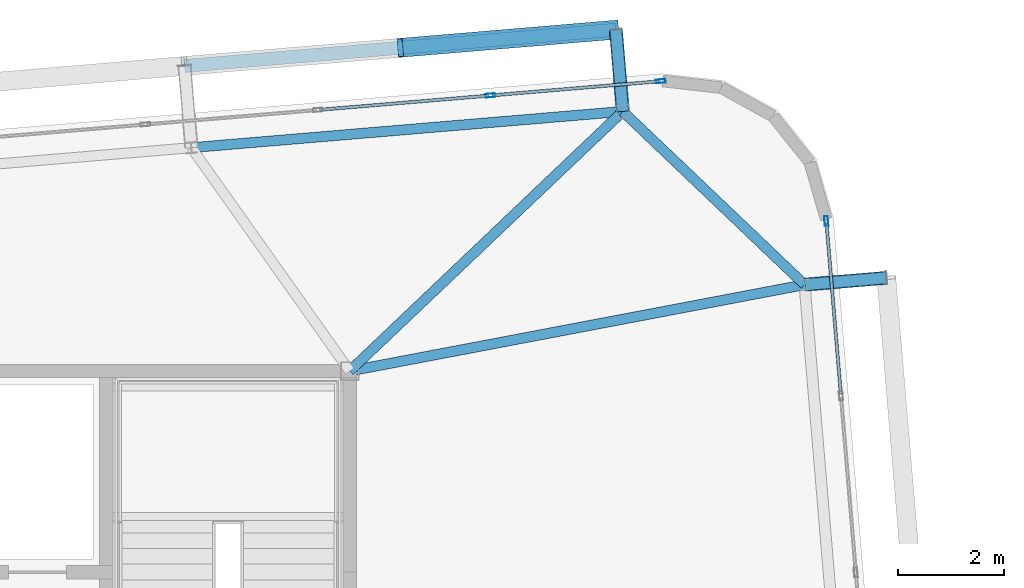
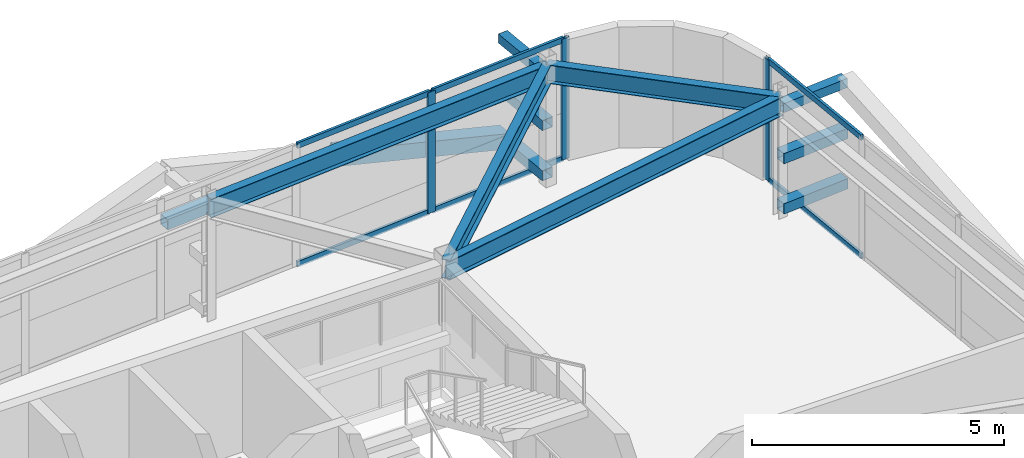
# One storey, part 31 of 46: 17 members, 4 beams, 2 elements without a shape of their own.
"""IFC4 building model written with IfcOpenShell, lengths in metres."""

import ifcopenshell
import ifcopenshell.guid

model = None  # the IFC model being written
_history = None  # IfcOwnerHistory: only IFC2X3 demands one
_inside = {}  # id of a spatial element -> (the spatial element, [elements in it])
_under = {}  # id of a project, library or spatial element -> (it, [spatial elements below it])
_declared = {}  # id of a project -> (the project, [libraries it declares])
_typed = {}  # id of a type object -> (the type object, [elements of that type])
_made_of = {}  # id of a material, layer set ... -> (it, [elements and type objects made of it])


def new_model(schema):
    """Start an empty IFC model of exactly this schema.

    Asked for "IFC4X3", IfcOpenShell would pick the latest addendum, in which some entities
    have other attributes; the version numbers below select the first issue.
    IFC2X3 requires an IfcOwnerHistory on every rooted entity: one is made here for all.
    """
    global model, _history
    if schema == "IFC4X3":
        model = ifcopenshell.file(schema_version=(4, 3, 0, 0))
    else:
        model = ifcopenshell.file(schema=schema)
    _inside.clear()
    _under.clear()
    _declared.clear()
    _typed.clear()
    _made_of.clear()
    _history = None
    if model.schema == "IFC2X3":
        org = make("IfcOrganization", Name="unknown")
        user = make(
            "IfcPersonAndOrganization",
            ThePerson=make("IfcPerson", FamilyName="unknown"),
            TheOrganization=org,
        )
        app = make(
            "IfcApplication",
            ApplicationDeveloper=org,
            Version="unknown",
            ApplicationFullName="unknown",
            ApplicationIdentifier="unknown",
        )
        _history = make(
            "IfcOwnerHistory",
            OwningUser=user,
            OwningApplication=app,
            ChangeAction="ADDED",
            CreationDate=0,
        )
    return model


def make(cls, **values):
    """One entity of the class cls with the attributes given. An attribute that is None is left unset."""
    return model.create_entity(
        cls, **{name: value for name, value in values.items() if value is not None}
    )


def rooted(cls, **values):
    """An entity with a GlobalId (a new one), such as an element, a storey or a relation."""
    return make(cls, GlobalId=ifcopenshell.guid.new(), OwnerHistory=_history, **values)


def si_unit(unit_type, name, prefix=None):
    """IfcSIUnit, for example si_unit("LENGTHUNIT", "METRE", prefix="MILLI")."""
    return make("IfcSIUnit", UnitType=unit_type, Prefix=prefix, Name=name)


def assignment(units):
    """IfcUnitAssignment: the units of a project."""
    return None if units is None else make("IfcUnitAssignment", Units=units)


def point(xyz):
    """IfcCartesianPoint."""
    return None if xyz is None else make("IfcCartesianPoint", Coordinates=xyz)


def direction(xyz):
    """IfcDirection."""
    return None if xyz is None else make("IfcDirection", DirectionRatios=xyz)


def frame(location, z_axis=None, x_axis=None):
    """IfcAxis2Placement3D, a coordinate frame: its origin and axes. An axis left out is left unset."""
    return make(
        "IfcAxis2Placement3D",
        Location=point(location),
        Axis=direction(z_axis),
        RefDirection=direction(x_axis),
    )


def frame_2d(location, x_axis=None):
    """IfcAxis2Placement2D, a coordinate frame in the plane: its origin and x axis."""
    return make(
        "IfcAxis2Placement2D", Location=point(location), RefDirection=direction(x_axis)
    )


def origin():
    """The frame at (0, 0, 0) with its axes left unset."""
    return frame((0.0, 0.0, 0.0))


def origin_2d():
    """The frame at (0, 0) in the plane with its x axis left unset."""
    return frame_2d((0.0, 0.0))


def place(relative_to, where):
    """IfcLocalPlacement: puts the frame where relative to a parent placement (None: the world)."""
    return make(
        "IfcLocalPlacement", PlacementRelTo=relative_to, RelativePlacement=where
    )


def context(
    kind, dimensions, precision=None, world=None, true_north=None, identifier=None
):
    """IfcGeometricRepresentationContext, for example the 3D "Model" context."""
    return make(
        "IfcGeometricRepresentationContext",
        ContextIdentifier=identifier,
        ContextType=kind,
        CoordinateSpaceDimension=dimensions,
        Precision=precision,
        WorldCoordinateSystem=world,
        TrueNorth=true_north,
    )


def subcontext(parent, identifier, kind, view, scale=None):
    """IfcGeometricRepresentationSubContext, for example "Body" below "Model"."""
    return make(
        "IfcGeometricRepresentationSubContext",
        ContextIdentifier=identifier,
        ContextType=kind,
        ParentContext=parent,
        TargetScale=scale,
        TargetView=view,
    )


def project(units=None, contexts=None):
    """IfcProject with its units and contexts."""
    return rooted(
        "IfcProject",
        Name="project",
        RepresentationContexts=contexts,
        UnitsInContext=assignment(units),
    )


def spatial(cls, under=None, at=None, **own):
    """A site, building, storey or space (cls), placed at a placement, below another one or the project."""
    s = rooted(cls, ObjectPlacement=at, **own)
    if under is not None:
        _under.setdefault(under.id(), (under, []))[1].append(s)
    return s


def profile(cls, at=None, kind="AREA", **sizes):
    """A parametric profile (cls). Its sizes go by their IFC names, for example OverallWidth=200.0."""
    return make(cls, ProfileType=kind, Position=at, **sizes)


def hollow_rectangle(**sizes):
    """IfcRectangleHollowProfileDef."""
    return profile("IfcRectangleHollowProfileDef", **sizes)


def i_section(**sizes):
    """IfcIShapeProfileDef."""
    return profile("IfcIShapeProfileDef", **sizes)


def extrude(swept, where, along, depth):
    """IfcExtrudedAreaSolid: the profile swept, set in the frame where, extruded along a direction by depth."""
    return make(
        "IfcExtrudedAreaSolid",
        SweptArea=swept,
        Position=where,
        ExtrudedDirection=direction(along),
        Depth=depth,
    )


def shape(context_of_items, identifier, shape_type, items):
    """IfcShapeRepresentation: the items that make up one representation, for example the "Body"."""
    return make(
        "IfcShapeRepresentation",
        ContextOfItems=context_of_items,
        RepresentationIdentifier=identifier,
        RepresentationType=shape_type,
        Items=items,
    )


def source(mapping_origin, context_of_items, identifier, shape_type, items):
    """IfcRepresentationMap: a shape defined once, which mapped items show again and again."""
    return make(
        "IfcRepresentationMap",
        MappingOrigin=mapping_origin,
        MappedRepresentation=shape(context_of_items, identifier, shape_type, items),
    )


def transform(
    local_origin,
    x_axis=None,
    y_axis=None,
    z_axis=None,
    scale=None,
    scale2=None,
    scale3=None,
    uniform=True,
):
    """IfcCartesianTransformationOperator3D, or its non-uniform kind. x_axis, y_axis, z_axis: its Axis1, 2, 3."""
    if uniform:
        return make(
            "IfcCartesianTransformationOperator3D",
            Axis1=direction(x_axis),
            Axis2=direction(y_axis),
            LocalOrigin=point(local_origin),
            Scale=scale,
            Axis3=direction(z_axis),
        )
    return make(
        "IfcCartesianTransformationOperator3DnonUniform",
        Axis1=direction(x_axis),
        Axis2=direction(y_axis),
        LocalOrigin=point(local_origin),
        Scale=scale,
        Axis3=direction(z_axis),
        Scale2=scale2,
        Scale3=scale3,
    )


def mapped(mapping_source, mapping_target):
    """IfcMappedItem: shows the shape of a source again, moved by a transform."""
    return make(
        "IfcMappedItem", MappingSource=mapping_source, MappingTarget=mapping_target
    )


def material(Name=None, Category=None):
    """IfcMaterial."""
    return make("IfcMaterial", Name=Name, Category=Category)


def layer(
    of_material, thickness, ventilated=None, Name=None, Category=None, Priority=None
):
    """IfcMaterialLayer: one layer of a wall or slab, of a material (None: an air gap)."""
    return make(
        "IfcMaterialLayer",
        Material=of_material,
        LayerThickness=thickness,
        IsVentilated=ventilated,
        Name=Name,
        Category=Category,
        Priority=Priority,
    )


def layer_set(layers, Name=None):
    """IfcMaterialLayerSet."""
    return make("IfcMaterialLayerSet", MaterialLayers=layers, LayerSetName=Name)


def material_profile(
    of_material, cross_section, Name=None, Category=None, Priority=None
):
    """IfcMaterialProfile: a cross section and its material."""
    return make(
        "IfcMaterialProfile",
        Name=Name,
        Material=of_material,
        Profile=cross_section,
        Priority=Priority,
        Category=Category,
    )


def profile_set(profiles, Name=None, composite=None):
    """IfcMaterialProfileSet."""
    return make(
        "IfcMaterialProfileSet",
        Name=Name,
        MaterialProfiles=profiles,
        CompositeProfile=composite,
    )


def made_of(thing, what):
    """Note that an element or type object is made of a material, layer set ...; save() writes the relation."""
    if what is not None:
        _made_of.setdefault(what.id(), (what, []))[1].append(thing)
    return thing


def type_object(cls, material=None, **own):
    """A type object (cls), such as IfcWallType, which elements share."""
    return made_of(rooted(cls, **own), material)


def element(
    cls,
    number,
    at=None,
    inside=None,
    cuts=None,
    type_object=None,
    material=None,
    context=None,
    identifier="Body",
    shape_type=None,
    held_by="IfcProductDefinitionShape",
    body=None,
    shapes=None,
    **own,
):
    """One element of the class cls, such as IfcWall. Its Tag is "e" and its number.

    at: its placement. inside: the storey or other place that contains it. cuts: it is an
    opening in that element (IfcRelVoidsElement). A single representation is given by context,
    identifier, shape_type and body (its items); several are given by shapes. held_by: the class
    of the entity that holds the representations. save() writes the other relations.
    """
    e = rooted(cls, Tag="e%d" % number, ObjectPlacement=at, **own)
    if body is not None:
        shapes = [shape(context, identifier, shape_type, body)]
    if shapes is not None:
        e.Representation = make(held_by, Representations=shapes)
    if inside is not None:
        _inside.setdefault(inside.id(), (inside, []))[1].append(e)
    if cuts is not None:
        rooted(
            "IfcRelVoidsElement", RelatingBuildingElement=cuts, RelatedOpeningElement=e
        )
    if type_object is not None:
        _typed.setdefault(type_object.id(), (type_object, []))[1].append(e)
    return made_of(e, material)


def aggregate(whole, parts):
    """IfcRelAggregates: a whole, such as a stair, and the parts it consists of."""
    return rooted("IfcRelAggregates", RelatingObject=whole, RelatedObjects=parts)


def save(model, path):
    """Write the relations noted so far, then the file.

    IfcRelAggregates (storeys below a building ...), IfcRelContainedInSpatialStructure (elements
    in a storey), IfcRelDefinesByType, IfcRelAssociatesMaterial and IfcRelDeclares: one each for
    every whole, place, type object, material and project.
    """
    for whole, parts in _under.values():
        aggregate(whole, parts)
    for where, things in _inside.values():
        rooted(
            "IfcRelContainedInSpatialStructure",
            RelatedElements=things,
            RelatingStructure=where,
        )
    for kind, things in _typed.values():
        rooted("IfcRelDefinesByType", RelatedObjects=things, RelatingType=kind)
    for what, things in _made_of.values():
        rooted("IfcRelAssociatesMaterial", RelatedObjects=things, RelatingMaterial=what)
    for by, libraries in _declared.values():
        rooted("IfcRelDeclares", RelatingContext=by, RelatedDefinitions=libraries)
    model.write(path)


model = new_model("IFC4")

# Units and contexts
model_context = context("Model", 3, precision=1e-05, world=origin(), true_north=direction((0.0, 1.0)))
body_context = subcontext(model_context, "Body", "Model", "MODEL_VIEW")
ifc_project = project(units=[si_unit("LENGTHUNIT", "METRE"), si_unit("AREAUNIT", "SQUARE_METRE"), si_unit("VOLUMEUNIT", "CUBIC_METRE"), si_unit("PLANEANGLEUNIT", "RADIAN"), si_unit("MASSUNIT", "GRAM", prefix="KILO")], contexts=[model_context])

# Site, building, storey
site_placement = place(None, origin())
site = spatial("IfcSite", under=ifc_project, at=site_placement, CompositionType="ELEMENT")
building_placement = place(site_placement, origin())
building = spatial("IfcBuilding", under=site, at=building_placement, Name="Taldren Reach Tower", CompositionType="ELEMENT")
storey_placement = place(building_placement, frame((0.0, 0.0, 194.60009765625)))
storey = spatial("IfcBuildingStorey", under=building, at=storey_placement, Name="L59", CompositionType="ELEMENT", Elevation=194.60009765625)

# Members
ifc_material_1 = material(Name="Steel Gr 350 (C350L0)", Category="steel")
ifc_material_profile_1 = material_profile(ifc_material_1, hollow_rectangle(XDim=0.25, YDim=0.25, WallThickness=0.010009765625, at=origin_2d()), Name="250x250x10.0SHS")
ifc_profile_set_1 = profile_set([ifc_material_profile_1], Name="Steel Gr 350 (C350L0)")
member_type_1 = type_object("IfcMemberType", Name="MB-POST250", PredefinedType="POST", material=ifc_profile_set_1)
shared_shape_1 = source(origin(), body_context, "Body", "SweptSolid", [
    extrude(hollow_rectangle(XDim=0.25, YDim=0.25, WallThickness=0.010009765625, at=origin_2d()), origin(), (0.0, 0.0, 1.0), 1.5498046875),
])
for number, where, z_axis, x_axis, name in (
    (1, (56.160400390625, 36.906005859375, 0.219970703125), (-0.083645141657, 0.996495604746, 0.0), (-0.996495604746, -0.083645141657, 0.0), "Exoskeleton base diaphragm tie strut B4-N6 L59"),
    (2, (56.160400390625, 36.906005859375, 1.434814453125), (-0.083645141657, 0.996495604746, 0.0), (-0.996495604746, -0.083645141657, 0.0), "Exoskeleton mid-tier diaphragm tie B4-N6 L59"),
):
    element("IfcMember", number, at=place(storey_placement, frame(where, z_axis=z_axis, x_axis=x_axis)), inside=storey, type_object=member_type_1, Name=name, PredefinedType="POST", context=body_context, shape_type="MappedRepresentation", body=[
        mapped(shared_shape_1, transform((0.0, 0.0, 0.0), scale=1.0)),
    ])

# Beams
ifc_material_2 = material(Name="Steel Gr 350 (350PLUS)", Category="steel")
ifc_material_profile_2 = material_profile(ifc_material_2, i_section(OverallWidth=0.18994140625, OverallDepth=0.4541015625, WebThickness=0.008544921875, FlangeThickness=0.0126953125, at=origin_2d()), Name="460UB67.1")
ifc_profile_set_2 = profile_set([ifc_material_profile_2], Name="Steel Gr 350 (350PLUS)")
beam_type_1 = type_object("IfcBeamType", Name="SP-UB460B", PredefinedType="SPANDREL", material=ifc_profile_set_2)
shared_shape_2 = source(origin(), body_context, "Body", "SweptSolid", [
    extrude(i_section(OverallWidth=0.18994140625, OverallDepth=0.4541015625, WebThickness=0.008544921875, FlangeThickness=0.0126953125, at=origin_2d()), origin(), (0.0, 0.0, 1.0), 8.18017578125),
])
beam_1_placement = place(storey_placement, frame((56.160400390625, 36.906005859375, 2.702880859375), z_axis=(-0.996492034688, -0.083687662192, 0.0), x_axis=(0.083687662192, -0.996492034688, 0.0)))
element("IfcBeam", 3, at=beam_1_placement, inside=storey, type_object=beam_type_1, Name="Perimeter spandrel B4 N6-N5 L59", PredefinedType="SPANDREL", context=body_context, shape_type="MappedRepresentation", body=[
    mapped(shared_shape_2, transform((0.0, 0.0, 0.0), scale=1.0)),
])
shared_shape_3 = source(origin(), body_context, "Body", "SweptSolid", [
    extrude(i_section(OverallWidth=0.18994140625, OverallDepth=0.4541015625, WebThickness=0.008544921875, FlangeThickness=0.0126953125, at=origin_2d()), origin(), (0.0, 0.0, 1.0), 4.74609375),
])
beam_2_placement = place(storey_placement, frame((59.596435546875, 33.632080078125, 2.702880859375), z_axis=(-0.723978879349, 0.689822138132, 0.0), x_axis=(-0.689822138132, -0.723978879349, 0.0)))
element("IfcBeam", 4, at=beam_2_placement, inside=storey, type_object=beam_type_1, Name="Perimeter spandrel B4 E3-N6 L59", PredefinedType="SPANDREL", context=body_context, shape_type="MappedRepresentation", body=[
    mapped(shared_shape_3, transform((0.0, 0.0, 0.0), scale=1.0)),
])
ifc_material_profile_3 = material_profile(ifc_material_2, i_section(OverallWidth=0.19091796875, OverallDepth=0.4599609375, WebThickness=0.010009765625, FlangeThickness=0.01611328125, at=origin_2d()), Name="460UB82.1")
ifc_profile_set_3 = profile_set([ifc_material_profile_3], Name="Steel Gr 350 (350PLUS)")
beam_type_2 = type_object("IfcBeamType", Name="BM-UB460A", PredefinedType="BEAM", material=ifc_profile_set_3)
shared_shape_4 = source(origin(), body_context, "Body", "SweptSolid", [
    extrude(i_section(OverallWidth=0.19091796875, OverallDepth=0.4599609375, WebThickness=0.010009765625, FlangeThickness=0.01611328125, at=origin_2d()), origin(), (0.0, 0.0, 1.0), 8.75),
])
beam_3_placement = place(storey_placement, frame((51.0, 32.0, 2.699951171875), z_axis=(0.982450485799, 0.18652357211, 0.0), x_axis=(-0.18652357211, 0.982450485799, 0.0)))
element("IfcBeam", 5, at=beam_3_placement, inside=storey, type_object=beam_type_2, Name="Primary floor girder B4-E3 L59", PredefinedType="BEAM", context=body_context, shape_type="MappedRepresentation", body=[
    mapped(shared_shape_4, transform((0.0, 0.0, 0.0), scale=1.0)),
])
shared_shape_5 = source(origin(), body_context, "Body", "SweptSolid", [
    extrude(i_section(OverallWidth=0.19091796875, OverallDepth=0.4599609375, WebThickness=0.010009765625, FlangeThickness=0.01611328125, at=origin_2d()), origin(), (0.0, 0.0, 1.0), 7.120361328125),
])
beam_4_placement = place(storey_placement, frame((51.0, 32.0, 2.699951171875), z_axis=(0.724745130454, 0.689017050503, 0.0), x_axis=(-0.689017050503, 0.724745130454, 0.0)))
element("IfcBeam", 6, at=beam_4_placement, inside=storey, type_object=beam_type_2, Name="Primary floor girder B4-N6 L59", PredefinedType="BEAM", context=body_context, shape_type="MappedRepresentation", body=[
    mapped(shared_shape_5, transform((0.0, 0.0, 0.0), scale=1.0)),
])

# Members
ifc_material_3 = material(Name="Steel Gr 450 (C450L0)", Category="steel")
ifc_material_profile_4 = material_profile(ifc_material_3, hollow_rectangle(XDim=0.219970703125, YDim=0.219970703125, WallThickness=0.00830078125, at=origin_2d()), Name="220x220x8.2SHS")
ifc_profile_set_4 = profile_set([ifc_material_profile_4], Name="Steel Gr 450 (C450L0)")
member_type_2 = type_object("IfcMemberType", Name="MB-TIE219", PredefinedType="STRUT", material=ifc_profile_set_4)
shared_shape_6 = source(origin(), body_context, "Body", "SweptSolid", [
    extrude(hollow_rectangle(XDim=0.219970703125, YDim=0.219970703125, WallThickness=0.00830078125, at=origin_2d()), origin(), (0.0, 0.0, 1.0), 1.5498046875),
])
member_1_placement = place(storey_placement, frame((56.160400390625, 36.906005859375, 2.64990234375), z_axis=(-0.083645141657, 0.996495604746, 0.0), x_axis=(-0.996495604746, -0.083645141657, 0.0)))
element("IfcMember", 7, at=member_1_placement, inside=storey, type_object=member_type_2, Name="Exoskeleton diaphragm tie strut B4-N6 L59", PredefinedType="STRUT", context=body_context, shape_type="MappedRepresentation", body=[
    mapped(shared_shape_6, transform((0.0, 0.0, 0.0), scale=1.0)),
])
shared_shape_7 = source(origin(), body_context, "Body", "SweptSolid", [
    extrude(hollow_rectangle(XDim=0.219970703125, YDim=0.219970703125, WallThickness=0.00830078125, at=origin_2d()), origin(), (0.0, 0.0, 1.0), 1.545166015625),
])
member_2_placement = place(storey_placement, frame((59.60107421875, 33.63232421875, 2.64990234375), z_axis=(0.996487766615, 0.083738467783, 0.0), x_axis=(-0.083738467783, 0.996487766615, 0.0)))
element("IfcMember", 8, at=member_2_placement, inside=storey, type_object=member_type_2, Name="Exoskeleton diaphragm tie strut B4-E3 L59", PredefinedType="STRUT", context=body_context, shape_type="MappedRepresentation", body=[
    mapped(shared_shape_7, transform((0.0, 0.0, 0.0), scale=1.0)),
])
shared_shape_8 = source(origin(), body_context, "Body", "SweptSolid", [
    extrude(hollow_rectangle(XDim=0.25, YDim=0.25, WallThickness=0.010009765625, at=origin_2d()), origin(), (0.0, 0.0, 1.0), 8.179931640625),
])
member_3_placement = place(storey_placement, frame((47.87939453125, 37.76611328125, 1.434814453125), z_axis=(0.996494523218, 0.083658025296, 0.0), x_axis=(-0.083658025296, 0.996494523218, 0.0)))
element("IfcMember", 9, at=member_3_placement, inside=storey, type_object=member_type_1, Name="Exoskeleton mid-height ring chord B4-N5 L59", PredefinedType="POST", context=body_context, shape_type="MappedRepresentation", body=[
    mapped(shared_shape_8, transform((0.0, 0.0, 0.0), scale=1.0)),
])
shared_shape_9 = source(origin(), body_context, "Body", "SweptSolid", [
    extrude(hollow_rectangle(XDim=0.25, YDim=0.25, WallThickness=0.010009765625, at=origin_2d()), origin(), (0.0, 0.0, 1.0), 1.545166015625),
])
for number, where, z_axis, x_axis, name in (
    (10, (59.60107421875, 33.63232421875, 0.219970703125), (0.996487766615, 0.083738467783, 0.0), (-0.083738467783, 0.996487766615, 0.0), "Exoskeleton base diaphragm tie strut B4-E3 L59"),
    (11, (59.60107421875, 33.63232421875, 1.434814453125), (0.996487766615, 0.083738467783, 0.0), (-0.083738467783, 0.996487766615, 0.0), "Exoskeleton mid-tier diaphragm tie B4-E3 L59"),
):
    element("IfcMember", number, at=place(storey_placement, frame(where, z_axis=z_axis, x_axis=x_axis)), inside=storey, type_object=member_type_1, Name=name, PredefinedType="POST", context=body_context, shape_type="MappedRepresentation", body=[
        mapped(shared_shape_9, transform((0.0, 0.0, 0.0), scale=1.0)),
    ])
ifc_material_profile_5 = material_profile(ifc_material_3, hollow_rectangle(XDim=0.360107421875, YDim=0.360107421875, WallThickness=0.0126953125, at=origin_2d()), Name="360x360x12.7SHS")
ifc_profile_set_5 = profile_set([ifc_material_profile_5], Name="Steel Gr 450 (C450L0)")
member_type_3 = type_object("IfcMemberType", Name="MB-EXO356", PredefinedType="BRACE", material=ifc_profile_set_5)
shared_shape_10 = source(origin(), body_context, "Body", "SweptSolid", [
    extrude(hollow_rectangle(XDim=0.360107421875, YDim=0.360107421875, WallThickness=0.0126953125, at=origin_2d()), origin(), (0.0, 0.0, 1.0), 4.2666015625),
])
member_4_placement = place(storey_placement, frame((56.03076171875, 38.450439453125, 0.219970703125), z_axis=(-0.955249107127, -0.080166766448, 0.284732212595), x_axis=(0.083628388178, -0.996497010879, 0.0)))
element("IfcMember", 12, at=member_4_placement, inside=storey, type_object=member_type_3, Name="Exoskeleton Diagrid Brace B4-N5 L59", PredefinedType="BRACE", context=body_context, shape_type="MappedRepresentation", body=[
    mapped(shared_shape_10, transform((0.0, 0.0, 0.0), scale=1.0)),
])

# Curtain wall, members
ifc_material_4 = material(Name="Aluminium and Low-E Glass Unitised System", Category="aluminium")
ifc_layer = layer(ifc_material_4, 0.159912109375)
ifc_layer_set = layer_set([ifc_layer], Name="Aluminium and Low-E Glass Unitised System")
curtain_wall_type = type_object("IfcCurtainWallType", Name="CW-SYS-5", PredefinedType="NOTDEFINED", material=ifc_layer_set)
curtain_wall_1_placement = place(storey_placement, origin())
curtain_wall_1 = element("IfcCurtainWall", 13, at=curtain_wall_1_placement, inside=storey, type_object=curtain_wall_type, Name="Unitised curtain wall CW-L59-N", PredefinedType="NOTDEFINED")
ifc_material_5 = material(Name="Anodised Aluminium 6063-T6", Category="aluminium")
ifc_material_profile_6 = material_profile(ifc_material_5, hollow_rectangle(XDim=0.070068359375, YDim=0.179931640625, WallThickness=0.00390625, at=origin_2d()), Name="ALU-180x70x4RHS")
ifc_profile_set_6 = profile_set([ifc_material_profile_6], Name="Anodised Aluminium 6063-T6")
member_type_4 = type_object("IfcMemberType", Name="CW-MUL-180", PredefinedType="MULLION", material=ifc_profile_set_6)
shared_shape_11 = source(origin(), body_context, "Body", "SweptSolid", [
    extrude(hollow_rectangle(XDim=0.070068359375, YDim=0.179931640625, WallThickness=0.00390625, at=origin_2d()), origin(), (0.0, 0.0, 1.0), 2.929931640625),
])
member_5_placement = place(storey_placement, frame((56.8798828125, 37.478271484375, 0.0), z_axis=(0.0, 0.0, 1.0), x_axis=(0.083677875247, -0.99649285657, 0.0)))
member_5 = element("IfcMember", 14, at=member_5_placement, type_object=member_type_4, Name="CW-5 mullion 1", PredefinedType="MULLION", context=body_context, shape_type="MappedRepresentation", body=[
    mapped(shared_shape_11, transform((0.0, 0.0, 0.0), scale=1.0)),
])
member_6_placement = place(storey_placement, frame((53.6572265625, 37.20751953125, 0.0), z_axis=(0.0, 0.0, 1.0), x_axis=(0.083677875247, -0.99649285657, 0.0)))
member_6 = element("IfcMember", 15, at=member_6_placement, type_object=member_type_4, Name="CW-5 mullion 2", PredefinedType="MULLION", context=body_context, shape_type="MappedRepresentation", body=[
    mapped(shared_shape_11, transform((0.0, 0.0, 0.0), scale=1.0)),
])

# Curtain wall, member
curtain_wall_2_placement = place(storey_placement, origin())
curtain_wall_2 = element("IfcCurtainWall", 16, at=curtain_wall_2_placement, inside=storey, type_object=curtain_wall_type, Name="Unitised curtain wall CW-L59-E", PredefinedType="NOTDEFINED")
member_7_placement = place(storey_placement, frame((60.007080078125, 34.835693359375, 0.0), z_axis=(0.0, 0.0, 1.0), x_axis=(-0.996492847789, -0.083677979808, 0.0)))
member_7 = element("IfcMember", 17, at=member_7_placement, type_object=member_type_4, Name="CW-5 mullion 9", PredefinedType="MULLION", context=body_context, shape_type="MappedRepresentation", body=[
    mapped(shared_shape_11, transform((0.0, 0.0, 0.0), scale=1.0)),
])

# Member
ifc_material_profile_7 = material_profile(ifc_material_5, hollow_rectangle(XDim=0.06005859375, YDim=0.135009765625, WallThickness=0.00341796875, at=origin_2d()), Name="ALU-135x60x3.5RHS")
ifc_profile_set_7 = profile_set([ifc_material_profile_7], Name="Anodised Aluminium 6063-T6")
member_type_5 = type_object("IfcMemberType", Name="CW-TRN-150", PredefinedType="USERDEFINED", material=ifc_profile_set_7)
shared_shape_12 = source(origin(), body_context, "Body", "SweptSolid", [
    extrude(hollow_rectangle(XDim=0.06005859375, YDim=0.135009765625, WallThickness=0.00341796875, at=origin_2d()), origin(), (0.0, 0.0, 1.0), 3.19921875),
])
member_8_placement = place(storey_placement, frame((53.622314453125, 37.20458984375, 0.02978515625), z_axis=(-0.996496109493, -0.083639128198, 0.0), x_axis=(0.083639128198, -0.996496109493, 0.0)))
member_8 = element("IfcMember", 18, at=member_8_placement, type_object=member_type_5, Name="CW-5 transom 2.1", ObjectType="TRANSOM", PredefinedType="USERDEFINED", context=body_context, shape_type="MappedRepresentation", body=[
    mapped(shared_shape_12, transform((0.0, 0.0, 0.0), scale=1.0)),
])

member_9_placement = place(storey_placement, frame((53.622314453125, 37.20458984375, 2.89990234375), z_axis=(-0.996496109493, -0.083639128198, 0.0), x_axis=(0.083639128198, -0.996496109493, 0.0)))
member_9 = element("IfcMember", 19, at=member_9_placement, type_object=member_type_5, Name="CW-5 transom 2.2", ObjectType="TRANSOM", PredefinedType="USERDEFINED", context=body_context, shape_type="MappedRepresentation", body=[
    mapped(shared_shape_12, transform((0.0, 0.0, 0.0), scale=1.0)),
])

shared_shape_13 = source(origin(), body_context, "Body", "SweptSolid", [
    extrude(hollow_rectangle(XDim=0.06005859375, YDim=0.135009765625, WallThickness=0.00341796875, at=origin_2d()), origin(), (0.0, 0.0, 1.0), 3.164306640625),
])
member_10_placement = place(storey_placement, frame((56.84521484375, 37.475341796875, 0.02978515625), z_axis=(-0.996490200681, -0.083709497347, 0.0), x_axis=(0.083709497347, -0.996490200681, 0.0)))
member_10 = element("IfcMember", 20, at=member_10_placement, type_object=member_type_5, Name="CW-5 transom 1.1", ObjectType="TRANSOM", PredefinedType="USERDEFINED", context=body_context, shape_type="MappedRepresentation", body=[
    mapped(shared_shape_13, transform((0.0, 0.0, 0.0), scale=1.0)),
])

member_11_placement = place(storey_placement, frame((56.84521484375, 37.475341796875, 2.89990234375), z_axis=(-0.996490200681, -0.083709497347, 0.0), x_axis=(0.083709497347, -0.996490200681, 0.0)))
member_11 = element("IfcMember", 21, at=member_11_placement, type_object=member_type_5, Name="CW-5 transom 1.2", ObjectType="TRANSOM", PredefinedType="USERDEFINED", context=body_context, shape_type="MappedRepresentation", body=[
    mapped(shared_shape_13, transform((0.0, 0.0, 0.0), scale=1.0)),
])

aggregate(curtain_wall_1, [member_5, member_6, member_10, member_11, member_8, member_9])

shared_shape_14 = source(origin(), body_context, "Body", "SweptSolid", [
    extrude(hollow_rectangle(XDim=0.06005859375, YDim=0.135009765625, WallThickness=0.00341796875, at=origin_2d()), origin(), (0.0, 0.0, 1.0), 3.2451171875),
])
member_12_placement = place(storey_placement, frame((60.281494140625, 31.567138671875, 0.02978515625), z_axis=(-0.083661876203, 0.996494199918, 0.0), x_axis=(-0.996494199918, -0.083661876203, 0.0)))
member_12 = element("IfcMember", 22, at=member_12_placement, type_object=member_type_5, Name="CW-5 transom 8.1", ObjectType="TRANSOM", PredefinedType="USERDEFINED", context=body_context, shape_type="MappedRepresentation", body=[
    mapped(shared_shape_14, transform((0.0, 0.0, 0.0), scale=1.0)),
])

member_13_placement = place(storey_placement, frame((60.281494140625, 31.567138671875, 2.89990234375), z_axis=(-0.083661876203, 0.996494199918, 0.0), x_axis=(-0.996494199918, -0.083661876203, 0.0)))
member_13 = element("IfcMember", 23, at=member_13_placement, type_object=member_type_5, Name="CW-5 transom 8.2", ObjectType="TRANSOM", PredefinedType="USERDEFINED", context=body_context, shape_type="MappedRepresentation", body=[
    mapped(shared_shape_14, transform((0.0, 0.0, 0.0), scale=1.0)),
])

aggregate(curtain_wall_2, [member_7, member_12, member_13])

save(model, "model.ifc")
